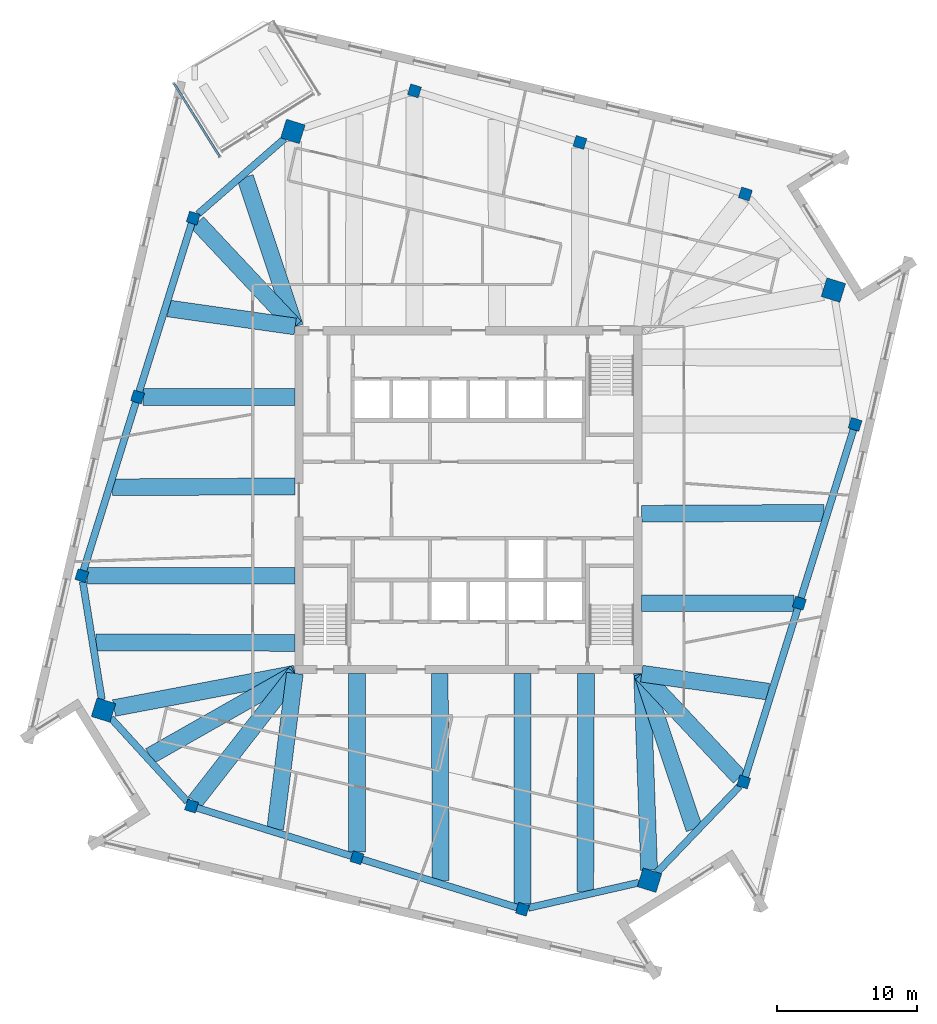
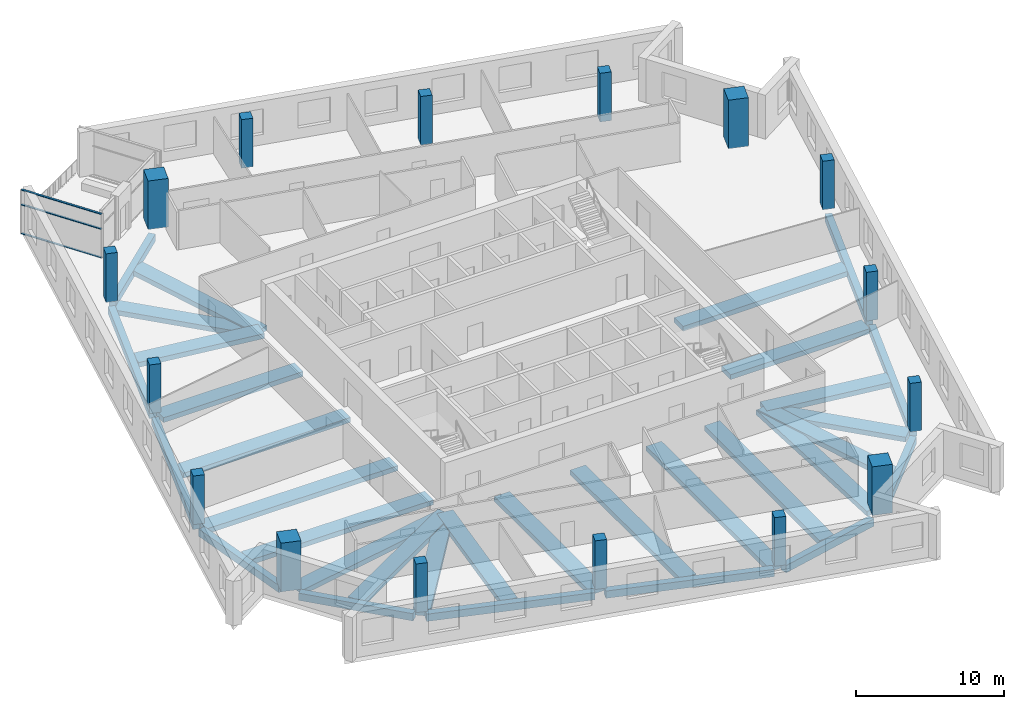
# One storey, part 1 of 14: 32 beams, 16 columns, 3 members, 1 element without a shape of its own.
"""IFC4 building model written with IfcOpenShell, lengths in metres."""

from ifc_helpers import new_model, si_unit, direction, frame, origin, origin_2d, place, context, subcontext, project, spatial, rectangle, extrude, material, material_profile, profile_set, type_object, element, aggregate, save


model = new_model("IFC4")

# Units and contexts
model_context = context("Model", 3, precision=1e-05, world=origin(), true_north=direction((0.0, 1.0)))
body_context = subcontext(model_context, "Body", "Model", "MODEL_VIEW")
ifc_project = project(units=[si_unit("LENGTHUNIT", "METRE"), si_unit("AREAUNIT", "SQUARE_METRE"), si_unit("VOLUMEUNIT", "CUBIC_METRE"), si_unit("PLANEANGLEUNIT", "RADIAN"), si_unit("MASSUNIT", "GRAM", prefix="KILO")], contexts=[model_context])

# Site, building, storey
site_placement = place(None, origin())
site = spatial("IfcSite", under=ifc_project, at=site_placement, CompositionType="ELEMENT")
building_placement = place(site_placement, origin())
building = spatial("IfcBuilding", under=site, at=building_placement, Name="Dilmun Exchange Tower", CompositionType="ELEMENT")
storey_placement = place(building_placement, frame((0.0, 0.0, 336.5)))
storey = spatial("IfcBuildingStorey", under=building, at=storey_placement, Name="L80", CompositionType="ELEMENT", Elevation=336.5)

# Columns
ifc_material_1 = material(Name="Concrete C50/60", Category="concrete")
ifc_material_profile_1 = material_profile(ifc_material_1, rectangle(XDim=1.39990234375, YDim=1.39990234375, at=origin_2d()), Name="1400 x 1400")
ifc_profile_set_1 = profile_set([ifc_material_profile_1], Name="Concrete C50/60")
column_type_1 = type_object("IfcColumnType", Name="RC mega column 1400 x 1400 C50/60", PredefinedType="COLUMN", material=ifc_profile_set_1)
for number, where, z_axis, x_axis, name in (
    (1, (-12.537109375, 26.322021484375, 0.0), (0.0, 0.0, 1.0), (0.297503182032, 0.954720826567, 0.0), "Mega column M1"),
    (2, (-26.06005859375, -14.9951171875, 0.0), (0.0, 0.0, 1.0), (0.297503182032, 0.954720826567, 0.0), "Mega column M2"),
    (3, (12.928955078125, -27.14404296875, 0.0), (0.0, 0.0, 1.0), (0.297503182032, 0.954720826567, 0.0), "Mega column M3"),
    (4, (26.06005859375, 14.9951171875, 0.0), (0.0, 0.0, 1.0), (0.297503182032, 0.954720826567, 0.0), "Mega column M4"),
):
    element("IfcColumn", number, at=place(storey_placement, frame(where, z_axis=z_axis, x_axis=x_axis)), inside=storey, type_object=column_type_1, Name=name, PredefinedType="COLUMN", context=body_context, shape_type="SweptSolid", body=[
        extrude(rectangle(XDim=1.39990234375, YDim=1.39990234375, at=origin_2d()), origin(), (0.0, 0.0, 1.0), 4.0),
    ])
ifc_material_profile_2 = material_profile(ifc_material_1, rectangle(XDim=0.800048828125, YDim=0.800048828125, at=origin_2d()), Name="800 x 800")
ifc_profile_set_2 = profile_set([ifc_material_profile_2], Name="Concrete C50/60")
column_type_2 = type_object("IfcColumnType", Name="RC ring column 800 x 800 C50/60", PredefinedType="COLUMN", material=ifc_profile_set_2)
for number, where, z_axis, x_axis, name in (
    (5, (-19.64990234375, 20.133056640625, 0.0), (0.0, 0.0, 1.0), (0.297503182032, 0.954720826567, 0.0), "Ring column R01"),
    (6, (-23.62890625, 7.363037109375, 0.0), (0.0, 0.0, 1.0), (0.297503182032, 0.954720826567, 0.0), "Ring column R02"),
    (7, (-27.60791015625, -5.406005859375, 0.0), (0.0, 0.0, 1.0), (0.297503182032, 0.954720826567, 0.0), "Ring column R03"),
    (8, (-19.77294921875, -21.85693359375, 0.0), (0.0, 0.0, 1.0), (0.297503182032, 0.954720826567, 0.0), "Ring column R04"),
    (9, (-7.9580078125, -25.5390625, 0.0), (0.0, 0.0, 1.0), (0.297503182032, 0.954720826567, 0.0), "Ring column R05"),
    (10, (3.85595703125, -29.219970703125, 0.0), (0.0, 0.0, 1.0), (0.297503182032, 0.954720826567, 0.0), "Ring column R06"),
    (11, (19.64990234375, -20.133056640625, 0.0), (0.0, 0.0, 1.0), (0.297503182032, 0.954720826567, 0.0), "Ring column R07"),
    (12, (23.62890625, -7.363037109375, 0.0), (0.0, 0.0, 1.0), (0.297503182032, 0.954720826567, 0.0), "Ring column R08"),
    (13, (27.60791015625, 5.406005859375, 0.0), (0.0, 0.0, 1.0), (0.297503182032, 0.954720826567, 0.0), "Ring column R09"),
    (14, (19.77294921875, 21.85693359375, 0.0), (0.0, 0.0, 1.0), (0.297503182032, 0.954720826567, 0.0), "Ring column R10"),
    (15, (7.9580078125, 25.5390625, 0.0), (0.0, 0.0, 1.0), (0.297503182032, 0.954720826567, 0.0), "Ring column R11"),
    (16, (-3.85595703125, 29.219970703125, 0.0), (0.0, 0.0, 1.0), (0.297503182032, 0.954720826567, 0.0), "Ring column R12"),
):
    element("IfcColumn", number, at=place(storey_placement, frame(where, z_axis=z_axis, x_axis=x_axis)), inside=storey, type_object=column_type_2, Name=name, PredefinedType="COLUMN", context=body_context, shape_type="SweptSolid", body=[
        extrude(rectangle(XDim=0.800048828125, YDim=0.800048828125, at=origin_2d()), origin(), (0.0, 0.0, 1.0), 4.0),
    ])

# Curtain wall, members
ifc_material_2 = material(Name="Anodised aluminium and clear glass", Category="aluminium")
curtain_wall_type = type_object("IfcCurtainWallType", Name="Garden corner glazing", PredefinedType="NOTDEFINED", material=ifc_material_2)
curtain_wall_placement = place(storey_placement, origin())
curtain_wall = element("IfcCurtainWall", 17, at=curtain_wall_placement, inside=storey, type_object=curtain_wall_type, Name="Garden corner glazing run GC3.1", PredefinedType="NOTDEFINED")
ifc_material_3 = material(Name="Anodised aluminium", Category="aluminium")
ifc_material_profile_3 = material_profile(ifc_material_3, rectangle(XDim=0.159912109375, YDim=0.06005859375, at=origin_2d()), Name="AL 60x160")
ifc_profile_set_3 = profile_set([ifc_material_profile_3], Name="Anodised aluminium")
member_type = type_object("IfcMemberType", Name="Garden corner glazing transom 60 x 160", PredefinedType="USERDEFINED", material=ifc_profile_set_3)
member_1_placement = place(storey_placement, frame((-17.772705078125, 24.540283203125, 0.030029296875), z_axis=(-0.529923715671, 0.848045314573, 0.0), x_axis=(-0.848045314573, -0.529923715671, 0.0)))
member_1 = element("IfcMember", 18, at=member_1_placement, type_object=member_type, Name="GC3.1 transom 1.1", ObjectType="TRANSOM", PredefinedType="USERDEFINED", context=body_context, shape_type="SweptSolid", body=[
    extrude(rectangle(XDim=0.159912109375, YDim=0.06005859375, at=origin_2d()), origin(), (0.0, 0.0, 1.0), 6.12646484375),
])
member_2_placement = place(storey_placement, frame((-17.772705078125, 24.540283203125, 2.39990234375), z_axis=(-0.529923715671, 0.848045314573, 0.0), x_axis=(-0.848045314573, -0.529923715671, 0.0)))
member_2 = element("IfcMember", 19, at=member_2_placement, type_object=member_type, Name="GC3.1 transom 1.2", ObjectType="TRANSOM", PredefinedType="USERDEFINED", context=body_context, shape_type="SweptSolid", body=[
    extrude(rectangle(XDim=0.159912109375, YDim=0.06005859375, at=origin_2d()), origin(), (0.0, 0.0, 1.0), 6.12646484375),
])
member_3_placement = place(storey_placement, frame((-17.772705078125, 24.540283203125, 3.6201171875), z_axis=(-0.529923715671, 0.848045314573, 0.0), x_axis=(-0.848045314573, -0.529923715671, 0.0)))
member_3 = element("IfcMember", 20, at=member_3_placement, type_object=member_type, Name="GC3.1 transom 1.3", ObjectType="TRANSOM", PredefinedType="USERDEFINED", context=body_context, shape_type="SweptSolid", body=[
    extrude(rectangle(XDim=0.159912109375, YDim=0.06005859375, at=origin_2d()), origin(), (0.0, 0.0, 1.0), 6.12646484375),
])
aggregate(curtain_wall, [member_1, member_2, member_3])

# Beams
ifc_material_4 = material(Name="Concrete C40/50", Category="concrete")
ifc_material_profile_4 = material_profile(ifc_material_4, rectangle(XDim=1.199951171875, YDim=0.39990234375, at=origin_2d()), Name="1200 x 400")
ifc_profile_set_4 = profile_set([ifc_material_profile_4], Name="Concrete C40/50")
beam_type_1 = type_object("IfcBeamType", Name="RC band beam 1200 x 400 C40/50", PredefinedType="BEAM", material=ifc_profile_set_4)
beam_1_placement = place(storey_placement, frame((-19.35400390625, 19.8173828125, -0.64990234375), z_axis=(0.683952281649, -0.729526748261, 0.0), x_axis=(0.729526748261, 0.683952281649, 0.0)))
element("IfcBeam", 21, at=beam_1_placement, inside=storey, type_object=beam_type_1, Name="Band beam 2", PredefinedType="BEAM", context=body_context, shape_type="SweptSolid", body=[
    extrude(rectangle(XDim=1.199951171875, YDim=0.39990234375, at=origin_2d()), origin(), (0.0, 0.0, 1.0), 10.1943359375),
])
beam_2_placement = place(storey_placement, frame((-23.237060546875, 7.363037109375, -0.64990234375), z_axis=(1.0, 0.0, 0.0), x_axis=(0.0, 1.0, 0.0)))
element("IfcBeam", 22, at=beam_2_placement, inside=storey, type_object=beam_type_1, Name="Band beam 3", PredefinedType="BEAM", context=body_context, shape_type="SweptSolid", body=[
    extrude(rectangle(XDim=1.199951171875, YDim=0.39990234375, at=origin_2d()), origin(), (0.0, 0.0, 1.0), 10.864013671875),
])
beam_3_placement = place(storey_placement, frame((-27.216064453125, -5.406005859375, -0.64990234375), z_axis=(1.0, 0.0, 0.0), x_axis=(0.0, 1.0, 0.0)))
element("IfcBeam", 23, at=beam_3_placement, inside=storey, type_object=beam_type_1, Name="Band beam 4", PredefinedType="BEAM", context=body_context, shape_type="SweptSolid", body=[
    extrude(rectangle(XDim=1.199951171875, YDim=0.39990234375, at=origin_2d()), origin(), (0.0, 0.0, 1.0), 14.843017578125),
])
beam_4_placement = place(storey_placement, frame((-25.30712890625, -14.85205078125, -0.64990234375), z_axis=(0.982429348436, 0.18663487169, 0.0), x_axis=(-0.18663487169, 0.982429348436, 0.0)))
element("IfcBeam", 24, at=beam_4_placement, inside=storey, type_object=beam_type_1, Name="Band beam 5", PredefinedType="BEAM", context=body_context, shape_type="SweptSolid", body=[
    extrude(rectangle(XDim=1.199951171875, YDim=0.39990234375, at=origin_2d()), origin(), (0.0, 0.0, 1.0), 13.164794921875),
])
beam_5_placement = place(storey_placement, frame((-19.52685546875, -21.541259765625, -0.64990234375), z_axis=(0.614856714099, 0.788638840743, 0.0), x_axis=(-0.788638840743, 0.614856714099, 0.0)))
element("IfcBeam", 25, at=beam_5_placement, inside=storey, type_object=beam_type_1, Name="Band beam 6", PredefinedType="BEAM", context=body_context, shape_type="SweptSolid", body=[
    extrude(rectangle(XDim=1.199951171875, YDim=0.39990234375, at=origin_2d()), origin(), (0.0, 0.0, 1.0), 11.6181640625),
])
beam_6_placement = place(storey_placement, frame((-7.9580078125, -25.14697265625, -0.64990234375), z_axis=(0.0, 1.0, 0.0), x_axis=(-1.0, 0.0, 0.0)))
element("IfcBeam", 26, at=beam_6_placement, inside=storey, type_object=beam_type_1, Name="Band beam 7", PredefinedType="BEAM", context=body_context, shape_type="SweptSolid", body=[
    extrude(rectangle(XDim=1.199951171875, YDim=0.39990234375, at=origin_2d()), origin(), (0.0, 0.0, 1.0), 12.77392578125),
])
beam_7_placement = place(storey_placement, frame((3.85595703125, -28.827880859375, -0.64990234375), z_axis=(0.0, 1.0, 0.0), x_axis=(-1.0, 0.0, 0.0)))
element("IfcBeam", 27, at=beam_7_placement, inside=storey, type_object=beam_type_1, Name="Band beam 8", PredefinedType="BEAM", context=body_context, shape_type="SweptSolid", body=[
    extrude(rectangle(XDim=1.199951171875, YDim=0.39990234375, at=origin_2d()), origin(), (0.0, 0.0, 1.0), 16.454833984375),
])
beam_8_placement = place(storey_placement, frame((12.9033203125, -26.429443359375, -0.64990234375), z_axis=(-0.035860549827, 0.999356803632, 0.0), x_axis=(-0.999356803632, -0.035860549827, 0.0)))
element("IfcBeam", 28, at=beam_8_placement, inside=storey, type_object=beam_type_1, Name="Band beam 9", PredefinedType="BEAM", context=body_context, shape_type="SweptSolid", body=[
    extrude(rectangle(XDim=1.199951171875, YDim=0.39990234375, at=origin_2d()), origin(), (0.0, 0.0, 1.0), 14.0654296875),
])
beam_9_placement = place(storey_placement, frame((19.35400390625, -19.8173828125, -0.64990234375), z_axis=(-0.683952281649, 0.729526748261, 0.0), x_axis=(-0.729526748261, -0.683952281649, 0.0)))
element("IfcBeam", 29, at=beam_9_placement, inside=storey, type_object=beam_type_1, Name="Band beam 10", PredefinedType="BEAM", context=body_context, shape_type="SweptSolid", body=[
    extrude(rectangle(XDim=1.199951171875, YDim=0.39990234375, at=origin_2d()), origin(), (0.0, 0.0, 1.0), 10.1943359375),
])
beam_10_placement = place(storey_placement, frame((23.237060546875, -7.363037109375, -0.64990234375), z_axis=(-1.0, 0.0, 0.0), x_axis=(0.0, -1.0, 0.0)))
element("IfcBeam", 30, at=beam_10_placement, inside=storey, type_object=beam_type_1, Name="Band beam 11", PredefinedType="BEAM", context=body_context, shape_type="SweptSolid", body=[
    extrude(rectangle(XDim=1.199951171875, YDim=0.39990234375, at=origin_2d()), origin(), (0.0, 0.0, 1.0), 10.864013671875),
])
beam_11_placement = place(storey_placement, frame((-15.947021484375, 23.059326171875, -0.550048828125), z_axis=(0.315752926282, -0.948841445946, 0.0), x_axis=(0.948841445946, 0.315752926282, 0.0)))
element("IfcBeam", 31, at=beam_11_placement, inside=storey, type_object=beam_type_1, Name="Band beam 17", PredefinedType="BEAM", context=body_context, shape_type="SweptSolid", body=[
    extrude(rectangle(XDim=1.199951171875, YDim=0.39990234375, at=origin_2d()), origin(), (0.0, 0.0, 1.0), 11.260986328125),
])
beam_12_placement = place(storey_placement, frame((-21.426513671875, 13.681640625, -0.550048828125), z_axis=(0.990066629404, -0.140598966357, 0.0), x_axis=(0.140598966357, 0.990066629404, 0.0)))
element("IfcBeam", 32, at=beam_12_placement, inside=storey, type_object=beam_type_1, Name="Band beam 18", PredefinedType="BEAM", context=body_context, shape_type="SweptSolid", body=[
    extrude(rectangle(XDim=1.199951171875, YDim=0.39990234375, at=origin_2d()), origin(), (0.0, 0.0, 1.0), 9.14404296875),
])
beam_13_placement = place(storey_placement, frame((-25.405517578125, 0.912109375, -0.550048828125), z_axis=(0.999987018468, 0.005095379798, 0.0), x_axis=(-0.005095379798, 0.999987018468, 0.0)))
element("IfcBeam", 33, at=beam_13_placement, inside=storey, type_object=beam_type_1, Name="Band beam 19", PredefinedType="BEAM", context=body_context, shape_type="SweptSolid", body=[
    extrude(rectangle(XDim=1.199951171875, YDim=0.39990234375, at=origin_2d()), origin(), (0.0, 0.0, 1.0), 13.03271484375),
])
beam_14_placement = place(storey_placement, frame((-26.614013671875, -10.1650390625, -0.550048828125), z_axis=(0.999996910379, -0.002485806038, 0.0), x_axis=(0.002485806038, 0.999996910379, 0.0)))
element("IfcBeam", 34, at=beam_14_placement, inside=storey, type_object=beam_type_1, Name="Band beam 20", PredefinedType="BEAM", context=body_context, shape_type="SweptSolid", body=[
    extrude(rectangle(XDim=1.199951171875, YDim=0.39990234375, at=origin_2d()), origin(), (0.0, 0.0, 1.0), 14.240966796875),
])
beam_15_placement = place(storey_placement, frame((-22.752197265625, -18.275390625, -0.550048828125), z_axis=(0.869690188955, 0.493597989496, 0.0), x_axis=(-0.493597989496, 0.869690188955, 0.0)))
element("IfcBeam", 35, at=beam_15_placement, inside=storey, type_object=beam_type_1, Name="Band beam 21", PredefinedType="BEAM", context=body_context, shape_type="SweptSolid", body=[
    extrude(rectangle(XDim=1.199951171875, YDim=0.39990234375, at=origin_2d()), origin(), (0.0, 0.0, 1.0), 11.93017578125),
])
beam_16_placement = place(storey_placement, frame((-13.79931640625, -23.485107421875, -0.550048828125), z_axis=(0.125252659456, 0.992124876867, 0.0), x_axis=(-0.992124876867, 0.125252659456, 0.0)))
element("IfcBeam", 36, at=beam_16_placement, inside=storey, type_object=beam_type_1, Name="Band beam 22", PredefinedType="BEAM", context=body_context, shape_type="SweptSolid", body=[
    extrude(rectangle(XDim=1.199951171875, YDim=0.39990234375, at=origin_2d()), origin(), (0.0, 0.0, 1.0), 11.199951171875),
])
beam_17_placement = place(storey_placement, frame((-1.984619140625, -27.16650390625, -0.550048828125), z_axis=(-0.004488848064, 0.999989925071, 0.0), x_axis=(-0.999989925071, -0.004488848064, 0.0)))
element("IfcBeam", 37, at=beam_17_placement, inside=storey, type_object=beam_type_1, Name="Band beam 23", PredefinedType="BEAM", context=body_context, shape_type="SweptSolid", body=[
    extrude(rectangle(XDim=1.199951171875, YDim=0.39990234375, at=origin_2d()), origin(), (0.0, 0.0, 1.0), 14.793701171875),
])
beam_18_placement = place(storey_placement, frame((8.3427734375, -27.964599609375, -0.550048828125), z_axis=(0.003194321582, 0.999994898142, 0.0), x_axis=(-0.999994898142, 0.003194321582, 0.0)))
element("IfcBeam", 38, at=beam_18_placement, inside=storey, type_object=beam_type_1, Name="Band beam 24", PredefinedType="BEAM", context=body_context, shape_type="SweptSolid", body=[
    extrude(rectangle(XDim=1.199951171875, YDim=0.39990234375, at=origin_2d()), origin(), (0.0, 0.0, 1.0), 15.591552734375),
])
beam_19_placement = place(storey_placement, frame((16.12841796875, -23.484130859375, -0.550048828125), z_axis=(-0.318844720982, 0.947806965527, 0.0), x_axis=(-0.947806965527, -0.318844720982, 0.0)))
element("IfcBeam", 39, at=beam_19_placement, inside=storey, type_object=beam_type_1, Name="Band beam 25", PredefinedType="BEAM", context=body_context, shape_type="SweptSolid", body=[
    extrude(rectangle(XDim=1.199951171875, YDim=0.39990234375, at=origin_2d()), origin(), (0.0, 0.0, 1.0), 11.721435546875),
])
beam_20_placement = place(storey_placement, frame((21.426513671875, -13.681640625, -0.550048828125), z_axis=(-0.990066629404, 0.140598966357, 0.0), x_axis=(-0.140598966357, -0.990066629404, 0.0)))
element("IfcBeam", 40, at=beam_20_placement, inside=storey, type_object=beam_type_1, Name="Band beam 26", PredefinedType="BEAM", context=body_context, shape_type="SweptSolid", body=[
    extrude(rectangle(XDim=1.199951171875, YDim=0.39990234375, at=origin_2d()), origin(), (0.0, 0.0, 1.0), 9.14404296875),
])
beam_21_placement = place(storey_placement, frame((25.405517578125, -0.912109375, -0.550048828125), z_axis=(-0.999987018468, -0.005095379798, 0.0), x_axis=(0.005095379798, -0.999987018468, 0.0)))
element("IfcBeam", 41, at=beam_21_placement, inside=storey, type_object=beam_type_1, Name="Band beam 27", PredefinedType="BEAM", context=body_context, shape_type="SweptSolid", body=[
    extrude(rectangle(XDim=1.199951171875, YDim=0.39990234375, at=origin_2d()), origin(), (0.0, 0.0, 1.0), 13.03271484375),
])
ifc_material_profile_5 = material_profile(ifc_material_4, rectangle(XDim=0.5, YDim=0.60009765625, at=origin_2d()), Name="500 x 600")
ifc_profile_set_5 = profile_set([ifc_material_profile_5], Name="Concrete C40/50")
beam_type_2 = type_object("IfcBeamType", Name="RC ring beam 500 x 600 C40/50", PredefinedType="SPANDREL", material=ifc_profile_set_5)
beam_22_placement = place(storey_placement, frame((-13.13720703125, 25.7998046875, -0.64990234375), z_axis=(-0.754412964807, -0.656400090289, 0.0), x_axis=(0.656400090289, -0.754412964807, 0.0)))
element("IfcBeam", 42, at=beam_22_placement, inside=storey, type_object=beam_type_2, Name="Ring beam 1", PredefinedType="SPANDREL", context=body_context, shape_type="SweptSolid", body=[
    extrude(rectangle(XDim=0.5, YDim=0.60009765625, at=origin_2d()), origin(), (0.0, 0.0, 1.0), 8.190185546875),
])
beam_23_placement = place(storey_placement, frame((-19.760986328125, 19.77685546875, -0.64990234375), z_axis=(-0.297481296371, -0.954727646143, 0.0), x_axis=(0.954727646143, -0.297481296371, 0.0)))
element("IfcBeam", 43, at=beam_23_placement, inside=storey, type_object=beam_type_2, Name="Ring beam 2", PredefinedType="SPANDREL", context=body_context, shape_type="SweptSolid", body=[
    extrude(rectangle(XDim=0.5, YDim=0.60009765625, at=origin_2d()), origin(), (0.0, 0.0, 1.0), 12.629638671875),
])
beam_24_placement = place(storey_placement, frame((-23.739990234375, 7.0068359375, -0.64990234375), z_axis=(-0.297508749799, -0.954719091562, 0.0), x_axis=(0.954719091562, -0.297508749799, 0.0)))
element("IfcBeam", 44, at=beam_24_placement, inside=storey, type_object=beam_type_2, Name="Ring beam 3", PredefinedType="SPANDREL", context=body_context, shape_type="SweptSolid", body=[
    extrude(rectangle(XDim=0.5, YDim=0.60009765625, at=origin_2d()), origin(), (0.0, 0.0, 1.0), 12.62841796875),
])
beam_25_placement = place(storey_placement, frame((-27.541015625, -5.820556640625, -0.64990234375), z_axis=(0.159356501233, -0.987221102649, 0.0), x_axis=(0.987221102649, 0.159356501233, 0.0)))
element("IfcBeam", 45, at=beam_25_placement, inside=storey, type_object=beam_type_2, Name="Ring beam 4", PredefinedType="SPANDREL", context=body_context, shape_type="SweptSolid", body=[
    extrude(rectangle(XDim=0.5, YDim=0.60009765625, at=origin_2d()), origin(), (0.0, 0.0, 1.0), 8.5380859375),
])
beam_26_placement = place(storey_placement, frame((-25.531005859375, -15.572265625, -0.64990234375), z_axis=(0.675535971399, -0.737327031476, 0.0), x_axis=(0.737327031476, 0.675535971399, 0.0)))
element("IfcBeam", 46, at=beam_26_placement, inside=storey, type_object=beam_type_2, Name="Ring beam 5", PredefinedType="SPANDREL", context=body_context, shape_type="SweptSolid", body=[
    extrude(rectangle(XDim=0.5, YDim=0.60009765625, at=origin_2d()), origin(), (0.0, 0.0, 1.0), 8.087890625),
])
beam_27_placement = place(storey_placement, frame((-19.4169921875, -21.968017578125, -0.64990234375), z_axis=(0.95471613385, -0.297518241065, 0.0), x_axis=(0.297518241065, 0.95471613385, 0.0)))
element("IfcBeam", 47, at=beam_27_placement, inside=storey, type_object=beam_type_2, Name="Ring beam 6", PredefinedType="SPANDREL", context=body_context, shape_type="SweptSolid", body=[
    extrude(rectangle(XDim=0.5, YDim=0.60009765625, at=origin_2d()), origin(), (0.0, 0.0, 1.0), 11.62939453125),
])
beam_28_placement = place(storey_placement, frame((-7.601806640625, -25.64990234375, -0.64990234375), z_axis=(0.954732553331, -0.297465546931, 0.0), x_axis=(0.297465546931, 0.954732553331, 0.0)))
element("IfcBeam", 48, at=beam_28_placement, inside=storey, type_object=beam_type_2, Name="Ring beam 7", PredefinedType="SPANDREL", context=body_context, shape_type="SweptSolid", body=[
    extrude(rectangle(XDim=0.5, YDim=0.60009765625, at=origin_2d()), origin(), (0.0, 0.0, 1.0), 11.628173828125),
])
beam_29_placement = place(storey_placement, frame((4.28076171875, -29.122802734375, -0.64990234375), z_axis=(0.974807153913, 0.223049350324, 0.0), x_axis=(-0.223049350324, 0.974807153913, 0.0)))
element("IfcBeam", 49, at=beam_29_placement, inside=storey, type_object=beam_type_2, Name="Ring beam 8", PredefinedType="SPANDREL", context=body_context, shape_type="SweptSolid", body=[
    extrude(rectangle(XDim=0.5, YDim=0.60009765625, at=origin_2d()), origin(), (0.0, 0.0, 1.0), 8.0888671875),
])
beam_30_placement = place(storey_placement, frame((13.451416015625, -26.598876953125, -0.64990234375), z_axis=(0.692021502551, 0.721876887016, 0.0), x_axis=(-0.721876887016, 0.692021502551, 0.0)))
element("IfcBeam", 50, at=beam_30_placement, inside=storey, type_object=beam_type_2, Name="Ring beam 9", PredefinedType="SPANDREL", context=body_context, shape_type="SweptSolid", body=[
    extrude(rectangle(XDim=0.5, YDim=0.60009765625, at=origin_2d()), origin(), (0.0, 0.0, 1.0), 8.537353515625),
])
beam_31_placement = place(storey_placement, frame((19.760986328125, -19.77685546875, -0.64990234375), z_axis=(0.297481296371, 0.954727646143, 0.0), x_axis=(-0.954727646143, 0.297481296371, 0.0)))
element("IfcBeam", 51, at=beam_31_placement, inside=storey, type_object=beam_type_2, Name="Ring beam 10", PredefinedType="SPANDREL", context=body_context, shape_type="SweptSolid", body=[
    extrude(rectangle(XDim=0.5, YDim=0.60009765625, at=origin_2d()), origin(), (0.0, 0.0, 1.0), 12.629638671875),
])
beam_32_placement = place(storey_placement, frame((23.739990234375, -7.0068359375, -0.64990234375), z_axis=(0.297508749799, 0.954719091562, 0.0), x_axis=(-0.954719091562, 0.297508749799, 0.0)))
element("IfcBeam", 52, at=beam_32_placement, inside=storey, type_object=beam_type_2, Name="Ring beam 11", PredefinedType="SPANDREL", context=body_context, shape_type="SweptSolid", body=[
    extrude(rectangle(XDim=0.5, YDim=0.60009765625, at=origin_2d()), origin(), (0.0, 0.0, 1.0), 12.62841796875),
])

save(model, "model.ifc")
